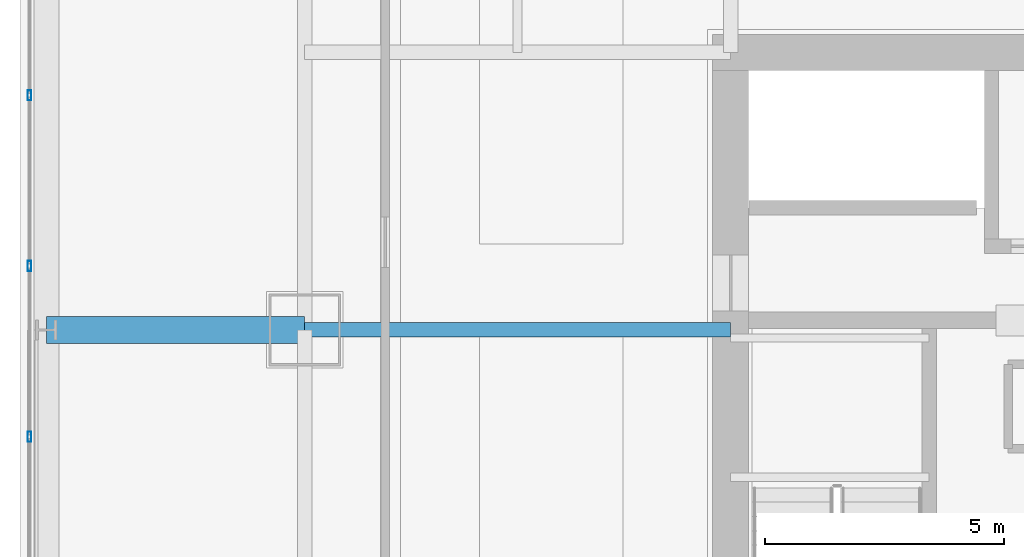
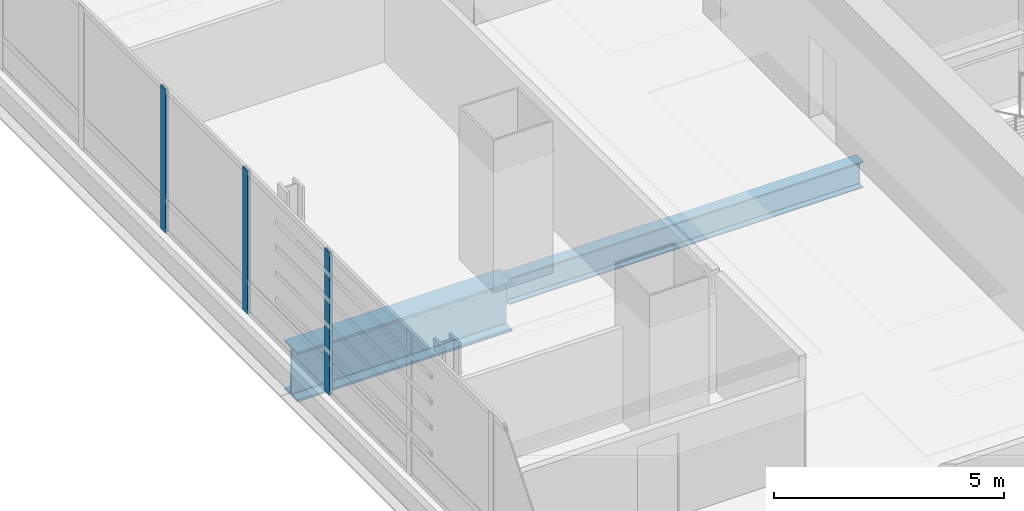
# One storey, part 11 of 36: 3 members, 2 beams, 1 element without a shape of its own.
"""IFC4 building model written with IfcOpenShell, lengths in metres."""

from ifc_helpers import new_model, si_unit, direction, frame, origin, origin_2d, place, context, subcontext, project, spatial, hollow_rectangle, i_section, extrude, material, material_profile, profile_set, type_object, element, aggregate, save


model = new_model("IFC4")

# Units and contexts
model_context = context("Model", 3, precision=1e-05, world=origin(), true_north=direction((0.0, 1.0)))
body_context = subcontext(model_context, "Body", "Model", "MODEL_VIEW")
ifc_project = project(units=[si_unit("LENGTHUNIT", "METRE"), si_unit("AREAUNIT", "SQUARE_METRE"), si_unit("VOLUMEUNIT", "CUBIC_METRE"), si_unit("PLANEANGLEUNIT", "RADIAN"), si_unit("MASSUNIT", "GRAM", prefix="KILO")], contexts=[model_context])

# Site, building, storey
site_placement = place(None, origin())
site = spatial("IfcSite", under=ifc_project, at=site_placement, CompositionType="ELEMENT")
building_placement = place(site_placement, origin())
building = spatial("IfcBuilding", under=site, at=building_placement, Name="Punatoya Terracotta Tower", CompositionType="ELEMENT")
storey_placement = place(building_placement, frame((0.0, 0.0, 36.300048828125)))
storey = spatial("IfcBuildingStorey", under=building, at=storey_placement, Name="L07", CompositionType="ELEMENT", Elevation=36.300048828125)

# Beams
ifc_material_1 = material(Name="Steel S355", Category="steel")
ifc_material_profile_1 = material_profile(ifc_material_1, i_section(OverallWidth=0.300048828125, OverallDepth=0.699951171875, WebThickness=0.01708984375, FlangeThickness=0.031982421875, FilletRadius=0.01806640625, at=origin_2d()))
ifc_profile_set_1 = profile_set([ifc_material_profile_1], Name="Steel S355")
beam_type_1 = type_object("IfcBeamType", Name="BM-PRI-700", PredefinedType="BEAM", material=ifc_profile_set_1)
beam_1_placement = place(storey_placement, frame((-19.10009765625, 3.39990234375, -0.590087890625), z_axis=(1.0, 0.0, 0.0), x_axis=(0.0, 1.0, 0.0)))
element("IfcBeam", 1, at=beam_1_placement, inside=storey, type_object=beam_type_1, Name="BM-L07-PR-WE", PredefinedType="BEAM", context=body_context, shape_type="SweptSolid", body=[
    extrude(i_section(OverallWidth=0.300048828125, OverallDepth=0.699951171875, WebThickness=0.01708984375, FlangeThickness=0.031982421875, FilletRadius=0.01806640625, at=origin_2d()), origin(), (0.0, 0.0, 1.0), 8.900146484375),
])
ifc_material_2 = material(Name="Steel S460", Category="steel")
ifc_material_profile_2 = material_profile(ifc_material_2, i_section(OverallWidth=0.56005859375, OverallDepth=1.320068359375, WebThickness=0.035888671875, FlangeThickness=0.054931640625, FilletRadius=0.01806640625, at=origin_2d()))
ifc_profile_set_2 = profile_set([ifc_material_profile_2], Name="Steel S460")
beam_type_2 = type_object("IfcBeamType", Name="BM-TG-BLK", PredefinedType="BEAM", material=ifc_profile_set_2)
beam_2_placement = place(storey_placement, frame((-24.5, 3.39990234375, -0.900146484375), z_axis=(1.0, 0.0, 0.0), x_axis=(0.0, 1.0, 0.0)))
element("IfcBeam", 2, at=beam_2_placement, inside=storey, type_object=beam_type_2, Name="BM-L07-CANT-W3", PredefinedType="BEAM", context=body_context, shape_type="SweptSolid", body=[
    extrude(i_section(OverallWidth=0.56005859375, OverallDepth=1.320068359375, WebThickness=0.035888671875, FlangeThickness=0.054931640625, FilletRadius=0.01806640625, at=origin_2d()), origin(), (0.0, 0.0, 1.0), 5.39990234375),
])

# Curtain wall, members
ifc_material_3 = material(Name="Aluminium 6063-T6 + Double Low-E Glass", Category="aluminium")
curtain_wall_type = type_object("IfcCurtainWallType", Name="CW-M1", PredefinedType="NOTDEFINED", material=ifc_material_3)
curtain_wall_placement = place(storey_placement, origin())
curtain_wall = element("IfcCurtainWall", 3, at=curtain_wall_placement, inside=storey, type_object=curtain_wall_type, Name="L07 Curtain Wall CW-L07-W13-1", PredefinedType="NOTDEFINED")
ifc_material_4 = material(Name="Aluminium 6063-T6", Category="aluminium")
ifc_material_profile_3 = material_profile(ifc_material_4, hollow_rectangle(XDim=0.074951171875, YDim=0.2099609375, WallThickness=0.00439453125, at=origin_2d()))
ifc_profile_set_3 = profile_set([ifc_material_profile_3], Name="Aluminium 6063-T6")
member_type = type_object("IfcMemberType", Name="CW-MUL-M1", PredefinedType="MULLION", material=ifc_profile_set_3)
member_1_placement = place(storey_placement, frame((-24.85009765625, 8.302001953125, 0.0), z_axis=(0.0, 0.0, 1.0), x_axis=(1.0, 0.0, 0.0)))
member_1 = element("IfcMember", 4, at=member_1_placement, type_object=member_type, Name="CW-L07-W13-1 Mullion 02", PredefinedType="MULLION", context=body_context, shape_type="SweptSolid", body=[
    extrude(hollow_rectangle(XDim=0.074951171875, YDim=0.2099609375, WallThickness=0.00439453125, at=origin_2d()), origin(), (0.0, 0.0, 1.0), 3.81005859375),
])
member_2_placement = place(storey_placement, frame((-24.85009765625, 4.73486328125, 0.0), z_axis=(0.0, 0.0, 1.0), x_axis=(1.0, 0.0, 0.0)))
member_2 = element("IfcMember", 5, at=member_2_placement, type_object=member_type, Name="CW-L07-W13-1 Mullion 03", PredefinedType="MULLION", context=body_context, shape_type="SweptSolid", body=[
    extrude(hollow_rectangle(XDim=0.074951171875, YDim=0.2099609375, WallThickness=0.00439453125, at=origin_2d()), origin(), (0.0, 0.0, 1.0), 3.81005859375),
])
member_3_placement = place(storey_placement, frame((-24.85009765625, 1.16748046875, 0.0), z_axis=(0.0, 0.0, 1.0), x_axis=(1.0, 0.0, 0.0)))
member_3 = element("IfcMember", 6, at=member_3_placement, type_object=member_type, Name="CW-L07-W13-1 Mullion 04", PredefinedType="MULLION", context=body_context, shape_type="SweptSolid", body=[
    extrude(hollow_rectangle(XDim=0.074951171875, YDim=0.2099609375, WallThickness=0.00439453125, at=origin_2d()), origin(), (0.0, 0.0, 1.0), 3.81005859375),
])
aggregate(curtain_wall, [member_1, member_2, member_3])

save(model, "model.ifc")
